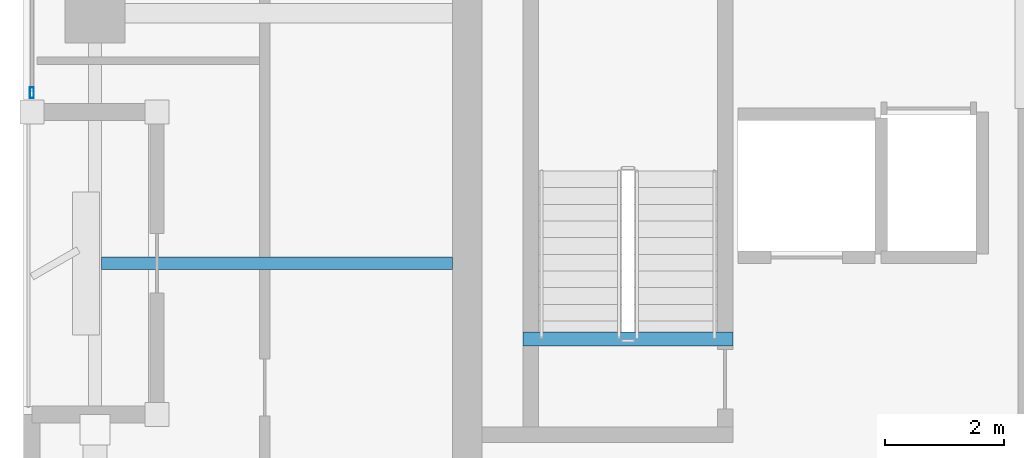
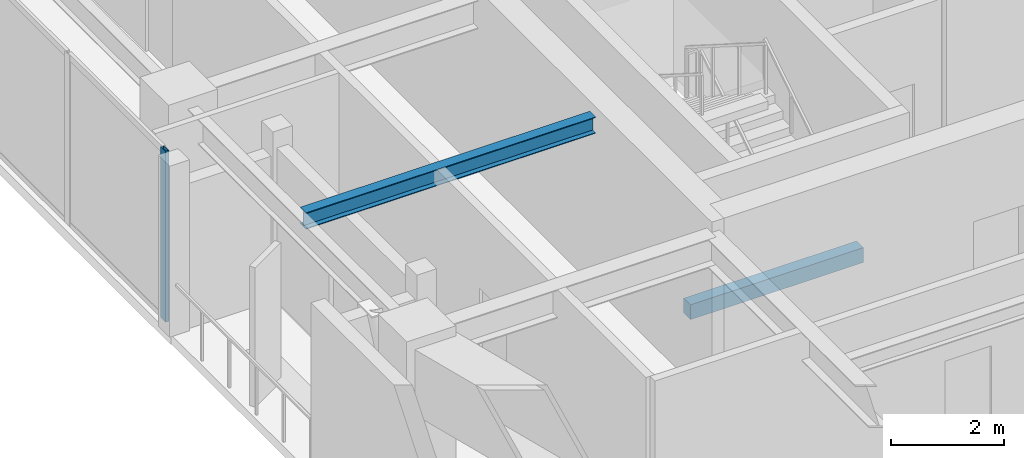
# One storey, part 2 of 15: 2 beams, 1 member, 1 element without a shape of its own.
"""IFC4 building model written with IfcOpenShell, lengths in metres."""

from ifc_helpers import new_model, si_unit, direction, frame, origin, origin_2d, place, context, subcontext, project, spatial, rectangle, hollow_rectangle, i_section, extrude, material, layer, layer_set, material_profile, profile_set, type_object, element, aggregate, save


model = new_model("IFC4")

# Units and contexts
model_context = context("Model", 3, precision=1e-05, world=origin(), true_north=direction((0.0, 1.0)))
body_context = subcontext(model_context, "Body", "Model", "MODEL_VIEW")
ifc_project = project(units=[si_unit("LENGTHUNIT", "METRE"), si_unit("AREAUNIT", "SQUARE_METRE"), si_unit("VOLUMEUNIT", "CUBIC_METRE"), si_unit("PLANEANGLEUNIT", "RADIAN"), si_unit("MASSUNIT", "GRAM", prefix="KILO")], contexts=[model_context])

# Site, building, storey
site_placement = place(None, origin())
site = spatial("IfcSite", under=ifc_project, at=site_placement, CompositionType="ELEMENT")
building_placement = place(site_placement, origin())
building = spatial("IfcBuilding", under=site, at=building_placement, Name="Kiyonajd Concourse Tower", CompositionType="ELEMENT")
storey_placement = place(building_placement, frame((0.0, 0.0, 290.10009765625)))
storey = spatial("IfcBuildingStorey", under=building, at=storey_placement, Name="L73", CompositionType="ELEMENT", Elevation=290.10009765625)

# Beams
ifc_material_1 = material(Name="Steel ASTM A992 Grade 50", Category="steel")
ifc_material_profile_1 = material_profile(ifc_material_1, i_section(OverallWidth=0.205078125, OverallDepth=0.35400390625, WebThickness=0.009521484375, FlangeThickness=0.016845703125, at=origin_2d()), Name="W360X79")
ifc_profile_set_1 = profile_set([ifc_material_profile_1], Name="Steel ASTM A992 Grade 50")
beam_type_1 = type_object("IfcBeamType", Name="BM-JST-360", PredefinedType="JOIST", material=ifc_profile_set_1)
beam_1_placement = place(storey_placement, frame((26.505615234375, 31.800048828125, 3.5029296875), z_axis=(1.0, 0.0, 0.0), x_axis=(0.0, 1.0, 0.0)))
element("IfcBeam", 1, at=beam_1_placement, inside=storey, type_object=beam_type_1, Name="L73 West Secondary Floor Joist", PredefinedType="JOIST", context=body_context, shape_type="SweptSolid", body=[
    extrude(i_section(OverallWidth=0.205078125, OverallDepth=0.35400390625, WebThickness=0.009521484375, FlangeThickness=0.016845703125, at=origin_2d()), origin(), (0.0, 0.0, 1.0), 5.894287109375),
])
ifc_material_2 = material(Name="Concrete C50/60", Category="concrete")
ifc_material_profile_2 = material_profile(ifc_material_2, rectangle(XDim=0.239990234375, YDim=0.320068359375, at=origin_2d()), Name="RCBM-240x320")
ifc_profile_set_2 = profile_set([ifc_material_profile_2], Name="Concrete C50/60")
beam_type_2 = type_object("IfcBeamType", Name="BM-LNT-250", PredefinedType="LINTEL", material=ifc_profile_set_2)
beam_2_placement = place(storey_placement, frame((33.590087890625, 30.530029296875, -0.16015625), z_axis=(1.0, 0.0, 0.0), x_axis=(0.0, 1.0, 0.0)))
element("IfcBeam", 2, at=beam_2_placement, inside=storey, type_object=beam_type_2, Name="L73 Stair ST1 Threshold Support Beam", PredefinedType="LINTEL", context=body_context, shape_type="SweptSolid", body=[
    extrude(rectangle(XDim=0.239990234375, YDim=0.320068359375, at=origin_2d()), origin(), (0.0, 0.0, 1.0), 3.52001953125),
])

# Curtain wall, member
ifc_material_3 = material(Name="Thermally Broken Anodised Aluminium", Category="aluminium")
ifc_layer = layer(ifc_material_3, 0.179931640625)
ifc_layer_set = layer_set([ifc_layer], Name="Thermally Broken Anodised Aluminium")
curtain_wall_type = type_object("IfcCurtainWallType", Name="CW-SYS-04", PredefinedType="NOTDEFINED", material=ifc_layer_set)
curtain_wall_placement = place(storey_placement, origin())
curtain_wall = element("IfcCurtainWall", 3, at=curtain_wall_placement, inside=storey, type_object=curtain_wall_type, Name="L73 Unitised Curtain Wall CW4", PredefinedType="NOTDEFINED")
ifc_material_profile_3 = material_profile(ifc_material_3, hollow_rectangle(XDim=0.06494140625, YDim=0.179931640625, WallThickness=0.00390625, at=origin_2d()), Name="MULL-65x180")
ifc_profile_set_3 = profile_set([ifc_material_profile_3], Name="Thermally Broken Anodised Aluminium")
member_type = type_object("IfcMemberType", Name="MB-CW-MULL1", PredefinedType="MULLION", material=ifc_profile_set_3)
member_placement = place(storey_placement, frame((25.340087890625, 34.66259765625, 0.0), z_axis=(0.0, 0.0, 1.0), x_axis=(-1.0, 0.0, 0.0)))
member = element("IfcMember", 4, at=member_placement, type_object=member_type, Name="CW4 mullion 1", PredefinedType="MULLION", context=body_context, shape_type="SweptSolid", body=[
    extrude(hollow_rectangle(XDim=0.06494140625, YDim=0.179931640625, WallThickness=0.00390625, at=origin_2d()), origin(), (0.0, 0.0, 1.0), 3.679931640625),
])
aggregate(curtain_wall, [member])

save(model, "model.ifc")
